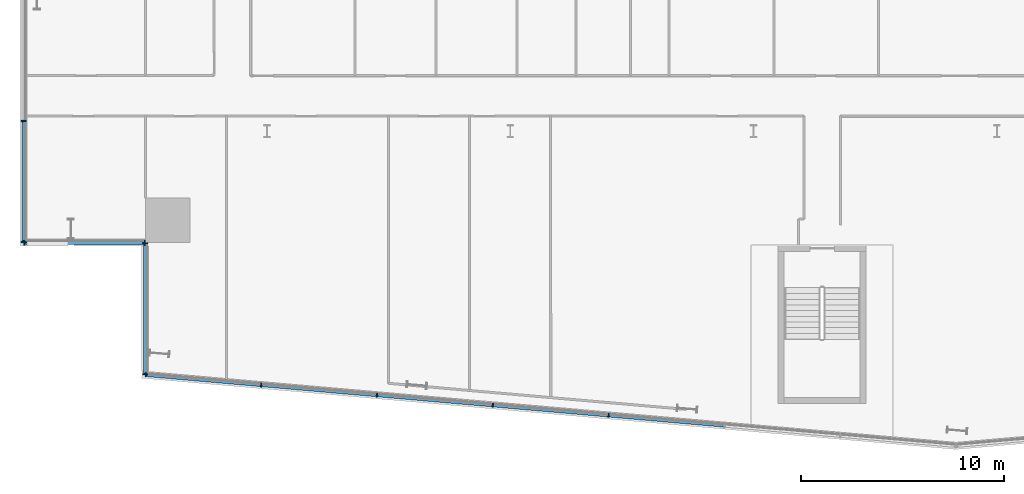
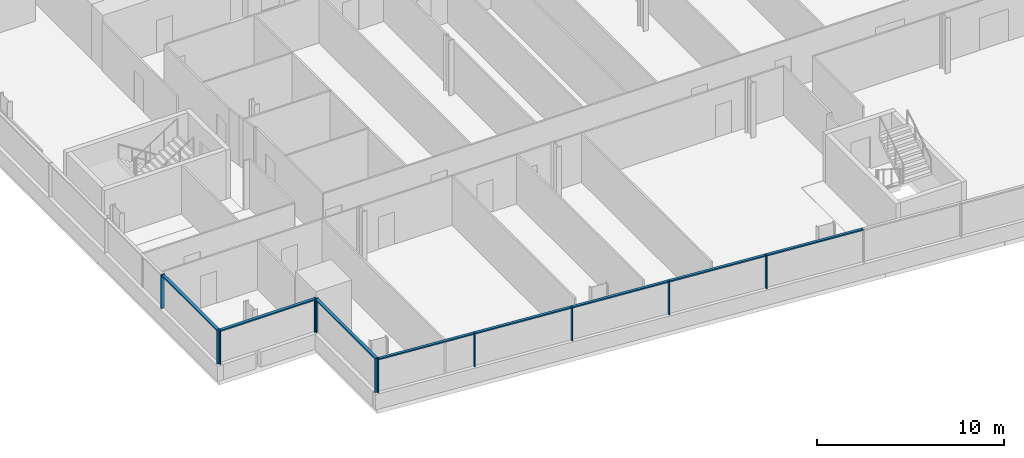
# One storey, part 4 of 24: 19 members, 4 elements without a shape of their own.
"""IFC4 building model written with IfcOpenShell, lengths in metres."""

from ifc_helpers import new_model, si_unit, direction, frame, origin, origin_2d, place, context, subcontext, project, spatial, rectangle, extrude, material, material_profile, profile_set, type_object, element, aggregate, save


model = new_model("IFC4")

# Units and contexts
model_context = context("Model", 3, precision=1e-05, world=origin(), true_north=direction((0.0, 1.0)))
body_context = subcontext(model_context, "Body", "Model", "MODEL_VIEW")
ifc_project = project(units=[si_unit("LENGTHUNIT", "METRE"), si_unit("AREAUNIT", "SQUARE_METRE"), si_unit("VOLUMEUNIT", "CUBIC_METRE"), si_unit("PLANEANGLEUNIT", "RADIAN"), si_unit("MASSUNIT", "GRAM", prefix="KILO")], contexts=[model_context])

# Site, building, storey
site_placement = place(None, origin())
site = spatial("IfcSite", under=ifc_project, at=site_placement, CompositionType="ELEMENT")
building_placement = place(site_placement, origin())
building = spatial("IfcBuilding", under=site, at=building_placement, Name="Wharfspan Tower", CompositionType="ELEMENT")
storey_placement = place(building_placement, frame((0.0, 0.0, 41.5)))
storey = spatial("IfcBuildingStorey", under=building, at=storey_placement, Name="L06", CompositionType="ELEMENT", Elevation=41.5)

# Curtain wall, members
ifc_material = material(Name="Aluminium 6063-T6", Category="aluminium")
curtain_wall_type_1 = type_object("IfcCurtainWallType", Name="CURTAIN WALL FACETED FRONT", PredefinedType="NOTDEFINED", material=ifc_material)
curtain_wall_1_placement = place(storey_placement, origin())
curtain_wall_1 = element("IfcCurtainWall", 1, at=curtain_wall_1_placement, inside=storey, type_object=curtain_wall_type_1, Name="Curtain wall S1", PredefinedType="NOTDEFINED")
ifc_material_profile_1 = material_profile(ifc_material, rectangle(XDim=0.199951, YDim=0.060059, at=origin_2d()))
ifc_profile_set_1 = profile_set([ifc_material_profile_1], Name="Aluminium 6063-T6")
member_type_1 = type_object("IfcMemberType", Name="MULLION FACETED FRONT 60x200", PredefinedType="MULLION", material=ifc_profile_set_1)
member_1_placement = place(storey_placement, frame((6.029785, -0.527588, 1.0), z_axis=(0.0, 0.0, 1.0), x_axis=(0.087156, 0.996197, 0.0)))
member_1 = element("IfcMember", 2, at=member_1_placement, type_object=member_type_1, Name="Curtain wall S1 mullion 1", PredefinedType="MULLION", context=body_context, shape_type="SweptSolid", body=[
    extrude(rectangle(XDim=0.199951, YDim=0.060059, at=origin_2d()), origin(), (0.0, 0.0, 1.0), 2.199951),
])
member_2_placement = place(storey_placement, frame((11.714355, -1.024902, 1.0), z_axis=(0.0, 0.0, 1.0), x_axis=(0.087156, 0.996197, 0.0)))
member_2 = element("IfcMember", 3, at=member_2_placement, type_object=member_type_1, Name="Curtain wall S1 mullion 2", PredefinedType="MULLION", context=body_context, shape_type="SweptSolid", body=[
    extrude(rectangle(XDim=0.199951, YDim=0.060059, at=origin_2d()), origin(), (0.0, 0.0, 1.0), 2.199951),
])
member_3_placement = place(storey_placement, frame((17.428467, -1.524902, 1.0), z_axis=(0.0, 0.0, 1.0), x_axis=(0.087156, 0.996197, 0.0)))
member_3 = element("IfcMember", 4, at=member_3_placement, type_object=member_type_1, Name="Curtain wall S1 mullion 3", PredefinedType="MULLION", context=body_context, shape_type="SweptSolid", body=[
    extrude(rectangle(XDim=0.199951, YDim=0.060059, at=origin_2d()), origin(), (0.0, 0.0, 1.0), 2.199951),
])
member_4_placement = place(storey_placement, frame((23.142822, -2.024658, 1.0), z_axis=(0.0, 0.0, 1.0), x_axis=(0.087156, 0.996197, 0.0)))
member_4 = element("IfcMember", 5, at=member_4_placement, type_object=member_type_1, Name="Curtain wall S1 mullion 4", PredefinedType="MULLION", context=body_context, shape_type="SweptSolid", body=[
    extrude(rectangle(XDim=0.199951, YDim=0.060059, at=origin_2d()), origin(), (0.0, 0.0, 1.0), 2.199951),
])
member_5_placement = place(storey_placement, frame((28.857178, -2.524658, 1.0), z_axis=(0.0, 0.0, 1.0), x_axis=(0.087156, 0.996197, 0.0)))
member_5 = element("IfcMember", 6, at=member_5_placement, type_object=member_type_1, Name="Curtain wall S1 mullion 5", PredefinedType="MULLION", context=body_context, shape_type="SweptSolid", body=[
    extrude(rectangle(XDim=0.199951, YDim=0.060059, at=origin_2d()), origin(), (0.0, 0.0, 1.0), 2.199951),
])

curtain_wall_type_2 = type_object("IfcCurtainWallType", Name="CURTAIN WALL PROW AND END", PredefinedType="NOTDEFINED", material=ifc_material)
curtain_wall_2_placement = place(storey_placement, origin())
curtain_wall_2 = element("IfcCurtainWall", 7, at=curtain_wall_2_placement, inside=storey, type_object=curtain_wall_type_2, Name="Curtain wall W", PredefinedType="NOTDEFINED")
ifc_material_profile_2 = material_profile(ifc_material, rectangle(XDim=0.23999, YDim=0.060059, at=origin_2d()))
ifc_profile_set_2 = profile_set([ifc_material_profile_2], Name="Aluminium 6063-T6")
member_type_2 = type_object("IfcMemberType", Name="MULLION PROW AND END 60x240", PredefinedType="MULLION", material=ifc_profile_set_2)
member_6_placement = place(storey_placement, frame((0.0, 12.0, 1.0), z_axis=(0.0, 0.0, 1.0), x_axis=(1.0, 0.0, 0.0)))
member_6 = element("IfcMember", 8, at=member_6_placement, type_object=member_type_2, Name="Curtain wall W mullion 6", PredefinedType="MULLION", context=body_context, shape_type="SweptSolid", body=[
    extrude(rectangle(XDim=0.23999, YDim=0.060059, at=origin_2d()), origin(), (0.0, 0.0, 1.0), 2.199951),
])
member_7_placement = place(storey_placement, frame((0.0, 6.030029, 1.0), z_axis=(0.0, 0.0, 1.0), x_axis=(1.0, 0.0, 0.0)))
member_7 = element("IfcMember", 9, at=member_7_placement, type_object=member_type_2, Name="Curtain wall W mullion 7", PredefinedType="MULLION", context=body_context, shape_type="SweptSolid", body=[
    extrude(rectangle(XDim=0.23999, YDim=0.060059, at=origin_2d()), origin(), (0.0, 0.0, 1.0), 2.199951),
])

curtain_wall_3_placement = place(storey_placement, origin())
curtain_wall_3 = element("IfcCurtainWall", 10, at=curtain_wall_3_placement, inside=storey, type_object=curtain_wall_type_2, Name="Curtain wall NFW-H", PredefinedType="NOTDEFINED")
member_8_placement = place(storey_placement, frame((0.030029, 6.0, 1.0), z_axis=(0.0, 0.0, 1.0), x_axis=(0.0, 1.0, 0.0)))
member_8 = element("IfcMember", 11, at=member_8_placement, type_object=member_type_2, Name="Curtain wall NFW-H mullion 1", PredefinedType="MULLION", context=body_context, shape_type="SweptSolid", body=[
    extrude(rectangle(XDim=0.23999, YDim=0.060059, at=origin_2d()), origin(), (0.0, 0.0, 1.0), 2.199951),
])
member_9_placement = place(storey_placement, frame((5.969971, 6.0, 1.0), z_axis=(0.0, 0.0, 1.0), x_axis=(0.0, 1.0, 0.0)))
member_9 = element("IfcMember", 12, at=member_9_placement, type_object=member_type_2, Name="Curtain wall NFW-H mullion 2", PredefinedType="MULLION", context=body_context, shape_type="SweptSolid", body=[
    extrude(rectangle(XDim=0.23999, YDim=0.060059, at=origin_2d()), origin(), (0.0, 0.0, 1.0), 2.199951),
])

curtain_wall_4_placement = place(storey_placement, origin())
curtain_wall_4 = element("IfcCurtainWall", 13, at=curtain_wall_4_placement, inside=storey, type_object=curtain_wall_type_2, Name="Curtain wall NFW-V", PredefinedType="NOTDEFINED")
member_10_placement = place(storey_placement, frame((6.0, 5.969971, 1.0), z_axis=(0.0, 0.0, 1.0), x_axis=(1.0, 0.0, 0.0)))
member_10 = element("IfcMember", 14, at=member_10_placement, type_object=member_type_2, Name="Curtain wall NFW-V mullion 1", PredefinedType="MULLION", context=body_context, shape_type="SweptSolid", body=[
    extrude(rectangle(XDim=0.23999, YDim=0.060059, at=origin_2d()), origin(), (0.0, 0.0, 1.0), 2.199951),
])
member_11_placement = place(storey_placement, frame((6.0, -0.494873, 1.0), z_axis=(0.0, 0.0, 1.0), x_axis=(1.0, 0.0, 0.0)))
member_11 = element("IfcMember", 15, at=member_11_placement, type_object=member_type_2, Name="Curtain wall NFW-V mullion 2", PredefinedType="MULLION", context=body_context, shape_type="SweptSolid", body=[
    extrude(rectangle(XDim=0.23999, YDim=0.060059, at=origin_2d()), origin(), (0.0, 0.0, 1.0), 2.199951),
])

# Member
ifc_material_profile_3 = material_profile(ifc_material, rectangle(XDim=0.159912, YDim=0.080078, at=origin_2d()))
ifc_profile_set_3 = profile_set([ifc_material_profile_3], Name="Aluminium 6063-T6")
member_type_3 = type_object("IfcMemberType", Name="TRANSOM FACETED FRONT 80x160", PredefinedType="USERDEFINED", material=ifc_profile_set_3)
member_12_placement = place(storey_placement, frame((6.059814, -0.530273, 3.159912), z_axis=(0.996197, -0.087132, 0.0), x_axis=(0.087132, 0.996197, 0.0)))
member_12 = element("IfcMember", 16, at=member_12_placement, type_object=member_type_3, Name="Curtain wall S1 transom 1", ObjectType="TRANSOM", PredefinedType="USERDEFINED", context=body_context, shape_type="SweptSolid", body=[
    extrude(rectangle(XDim=0.159912, YDim=0.080078, at=origin_2d()), origin(), (0.0, 0.0, 1.0), 5.645996),
])

member_13_placement = place(storey_placement, frame((11.744141, -1.027588, 3.159912), z_axis=(0.996196, -0.087142, 0.0), x_axis=(0.087142, 0.996196, 0.0)))
member_13 = element("IfcMember", 17, at=member_13_placement, type_object=member_type_3, Name="Curtain wall S1 transom 2", ObjectType="TRANSOM", PredefinedType="USERDEFINED", context=body_context, shape_type="SweptSolid", body=[
    extrude(rectangle(XDim=0.159912, YDim=0.080078, at=origin_2d()), origin(), (0.0, 0.0, 1.0), 5.676025),
])

member_14_placement = place(storey_placement, frame((17.458496, -1.527344, 3.159912), z_axis=(0.996192, -0.087185, 0.0), x_axis=(0.087185, 0.996192, 0.0)))
member_14 = element("IfcMember", 18, at=member_14_placement, type_object=member_type_3, Name="Curtain wall S1 transom 3", ObjectType="TRANSOM", PredefinedType="USERDEFINED", context=body_context, shape_type="SweptSolid", body=[
    extrude(rectangle(XDim=0.159912, YDim=0.080078, at=origin_2d()), origin(), (0.0, 0.0, 1.0), 5.67627),
])

member_15_placement = place(storey_placement, frame((23.172852, -2.027344, 3.159912), z_axis=(0.996196, -0.087146, 0.0), x_axis=(0.087146, 0.996196, 0.0)))
member_15 = element("IfcMember", 19, at=member_15_placement, type_object=member_type_3, Name="Curtain wall S1 transom 4", ObjectType="TRANSOM", PredefinedType="USERDEFINED", context=body_context, shape_type="SweptSolid", body=[
    extrude(rectangle(XDim=0.159912, YDim=0.080078, at=origin_2d()), origin(), (0.0, 0.0, 1.0), 5.675781),
])

member_16_placement = place(storey_placement, frame((28.886963, -2.527344, 3.159912), z_axis=(0.996196, -0.087142, 0.0), x_axis=(0.087142, 0.996196, 0.0)))
member_16 = element("IfcMember", 20, at=member_16_placement, type_object=member_type_3, Name="Curtain wall S1 transom 5", ObjectType="TRANSOM", PredefinedType="USERDEFINED", context=body_context, shape_type="SweptSolid", body=[
    extrude(rectangle(XDim=0.159912, YDim=0.080078, at=origin_2d()), origin(), (0.0, 0.0, 1.0), 5.676025),
])

aggregate(curtain_wall_1, [member_1, member_2, member_3, member_4, member_5, member_12, member_13, member_14, member_15, member_16])

ifc_material_profile_4 = material_profile(ifc_material, rectangle(XDim=0.179932, YDim=0.080078, at=origin_2d()))
ifc_profile_set_4 = profile_set([ifc_material_profile_4], Name="Aluminium 6063-T6")
member_type_4 = type_object("IfcMemberType", Name="TRANSOM PROW AND END 80x180", PredefinedType="USERDEFINED", material=ifc_profile_set_4)
member_17_placement = place(storey_placement, frame((0.0, 11.969971, 3.159912), z_axis=(0.0, -1.0, 0.0), x_axis=(1.0, 0.0, 0.0)))
member_17 = element("IfcMember", 21, at=member_17_placement, type_object=member_type_4, Name="Curtain wall W transom 6", ObjectType="TRANSOM", PredefinedType="USERDEFINED", context=body_context, shape_type="SweptSolid", body=[
    extrude(rectangle(XDim=0.179932, YDim=0.080078, at=origin_2d()), origin(), (0.0, 0.0, 1.0), 5.909912),
])

aggregate(curtain_wall_2, [member_6, member_7, member_17])

member_18_placement = place(storey_placement, frame((0.060059, 6.0, 3.159912), z_axis=(1.0, 0.0, 0.0), x_axis=(0.0, 1.0, 0.0)))
member_18 = element("IfcMember", 22, at=member_18_placement, type_object=member_type_4, Name="Curtain wall NFW-H transom 1", ObjectType="TRANSOM", PredefinedType="USERDEFINED", context=body_context, shape_type="SweptSolid", body=[
    extrude(rectangle(XDim=0.179932, YDim=0.080078, at=origin_2d()), origin(), (0.0, 0.0, 1.0), 5.879883),
])

aggregate(curtain_wall_3, [member_8, member_9, member_18])

member_19_placement = place(storey_placement, frame((6.0, 5.939941, 3.159912), z_axis=(0.0, -1.0, 0.0), x_axis=(1.0, 0.0, 0.0)))
member_19 = element("IfcMember", 23, at=member_19_placement, type_object=member_type_4, Name="Curtain wall NFW-V transom 1", ObjectType="TRANSOM", PredefinedType="USERDEFINED", context=body_context, shape_type="SweptSolid", body=[
    extrude(rectangle(XDim=0.179932, YDim=0.080078, at=origin_2d()), origin(), (0.0, 0.0, 1.0), 6.404785),
])

aggregate(curtain_wall_4, [member_10, member_11, member_19])

save(model, "model.ifc")
